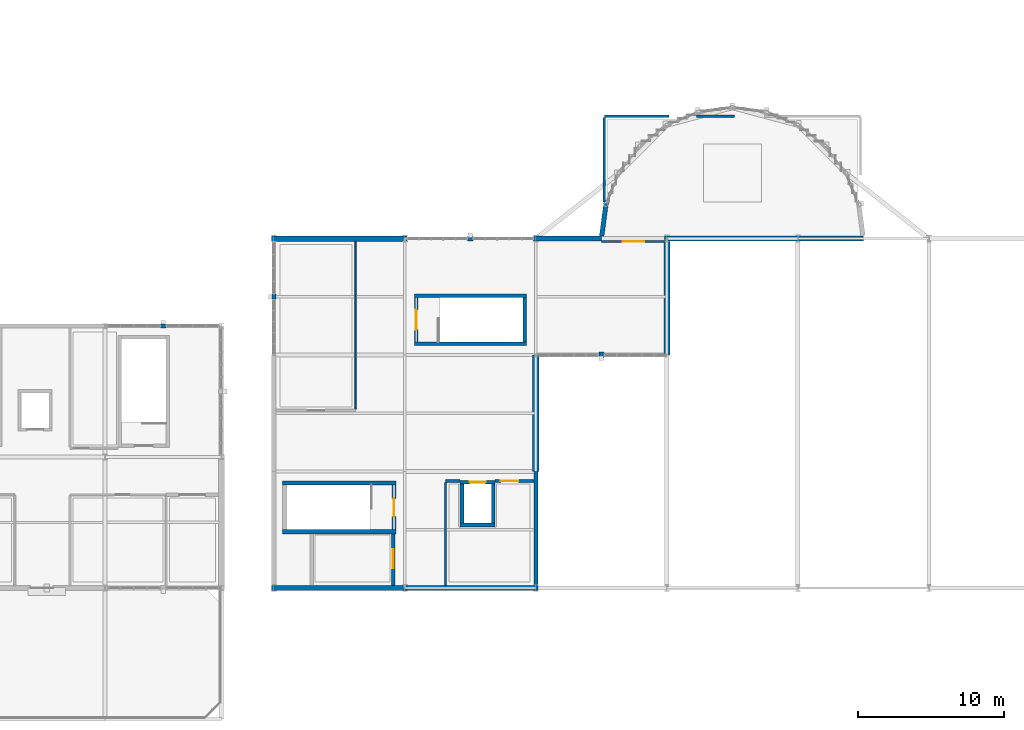
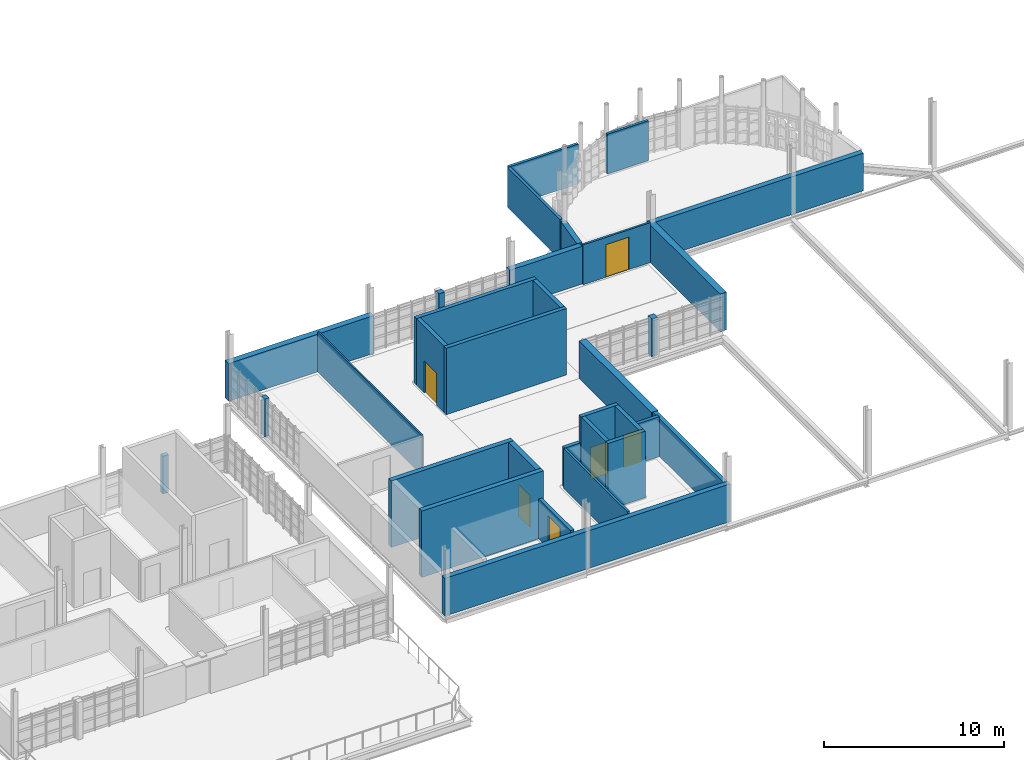
# One storey, part 39 of 44: 33 walls, 6 doors, 6 openings.
"""IFC4 building model written with IfcOpenShell, lengths in metres."""

from ifc_helpers import new_model, si_unit, direction, frame, frame_2d, origin, place, context, subcontext, project, spatial, rectangle, extrude, material, layer, layer_set, type_object, element, fill, save


model = new_model("IFC4")

# Units and contexts
model_context = context("Model", 3, precision=1e-05, world=origin(), true_north=direction((0.0, 1.0)))
body_context = subcontext(model_context, "Body", "Model", "MODEL_VIEW")
ifc_project = project(units=[si_unit("LENGTHUNIT", "METRE"), si_unit("AREAUNIT", "SQUARE_METRE"), si_unit("VOLUMEUNIT", "CUBIC_METRE"), si_unit("PLANEANGLEUNIT", "RADIAN"), si_unit("MASSUNIT", "GRAM", prefix="KILO")], contexts=[model_context])

# Site, building, storey
site_placement = place(None, origin())
site = spatial("IfcSite", under=ifc_project, at=site_placement, CompositionType="ELEMENT")
building_placement = place(site_placement, origin())
building = spatial("IfcBuilding", under=site, at=building_placement, Name="Serraforn Aerial Cableway Station", CompositionType="ELEMENT")
storey_placement = place(building_placement, frame((0.0, 0.0, 13.800048828125)))
storey = spatial("IfcBuildingStorey", under=building, at=storey_placement, Name="L03", CompositionType="ELEMENT", Elevation=13.800048828125)

# Wall, opening, door
ifc_material_1 = material(Name="Concrete C35/45", Category="concrete")
ifc_layer_1 = layer(ifc_material_1, 0.25)
ifc_layer_set_1 = layer_set([ifc_layer_1], Name="Concrete C35/45")
wall_type_1 = type_object("IfcWallType", Name="WL-COR-250", PredefinedType="SHEAR", material=ifc_layer_set_1)
wall_1_placement = place(storey_placement, frame((37.375, 34.89990234375, 0.0), z_axis=(0.0, 0.0, 1.0), x_axis=(0.0, 1.0, 0.0)))
wall_1 = element("IfcWall", 1, at=wall_1_placement, inside=storey, type_object=wall_type_1, Name="Stair Core Shear Wall WCOR-ST-04-L03-NEAR", PredefinedType="SHEAR", context=body_context, shape_type="SweptSolid", body=[
    extrude(rectangle(XDim=3.06005859375, YDim=0.25, at=frame_2d((1.530029296875, 0.0))), origin(), (0.0, 0.0, 1.0), 4.5),
])
opening_1_placement = place(wall_1_placement, frame((0.85498046875, 0.0, 0.0)))
opening_1 = element("IfcOpeningElement", 2, at=opening_1_placement, cuts=wall_1, Name="Opening D-S21", PredefinedType="OPENING", context=body_context, shape_type="SweptSolid", body=[
    extrude(rectangle(XDim=1.35009765625, YDim=2.14990234375, at=frame_2d((0.675048828125, 1.074951171875))), frame((0.0, 0.135009765625, 0.0), z_axis=(0.0, -1.0, 0.0), x_axis=(1.0, 0.0, 0.0)), (0.0, 0.0, 1.0), 0.27001953125),
])
ifc_material_2 = material(Name="Self-closing steel stair fire door", Category="steel")
door_type_1 = type_object("IfcDoorType", Name="DR-STAIR-135", OperationType="NOTDEFINED", PredefinedType="DOOR", material=ifc_material_2)
door_1_placement = place(opening_1_placement, origin())
door_1 = element("IfcDoor", 3, at=door_1_placement, inside=storey, type_object=door_type_1, Name="Protected Stair Door D-S21", OperationType="SINGLE_SWING_LEFT", OverallHeight=2.14990234375, OverallWidth=1.35009765625, PredefinedType="DOOR", context=body_context, shape_type="SweptSolid", body=[
    extrude(rectangle(XDim=1.35009765625, YDim=2.14990234375, at=frame_2d((0.675048828125, 1.074951171875))), frame((0.0, 0.02490234375, 0.0), z_axis=(0.0, -1.0, 0.0), x_axis=(1.0, 0.0, 0.0)), (0.0, 0.0, 1.0), 0.050048828125),
])
fill(opening_1, door_1)

# Walls
wall_2_placement = place(storey_placement, frame((44.824951171875, 34.89990234375, 0.0), z_axis=(0.0, 0.0, 1.0), x_axis=(0.0, 1.0, 0.0)))
element("IfcWall", 4, at=wall_2_placement, inside=storey, type_object=wall_type_1, Name="Stair Core Shear Wall WCOR-ST-04-L03-FAR", PredefinedType="SHEAR", context=body_context, shape_type="SweptSolid", body=[
    extrude(rectangle(XDim=3.06005859375, YDim=0.25, at=frame_2d((1.530029296875, 0.0))), origin(), (0.0, 0.0, 1.0), 4.5),
])
for number, where, z_axis, x_axis, name in (
    (5, (37.25, 34.77490234375, 0.0), (0.0, 0.0, 1.0), (1.0, 0.0, 0.0), "Stair Core Shear Wall WCOR-ST-04-L03-L"),
    (6, (37.25, 38.0849609375, 0.0), (0.0, 0.0, 1.0), (1.0, 0.0, 0.0), "Stair Core Shear Wall WCOR-ST-04-L03-R"),
):
    element("IfcWall", number, at=place(storey_placement, frame(where, z_axis=z_axis, x_axis=x_axis)), inside=storey, type_object=wall_type_1, Name=name, PredefinedType="SHEAR", context=body_context, shape_type="SweptSolid", body=[
        extrude(rectangle(XDim=7.699951171875, YDim=0.25, at=frame_2d((3.85009765625, 0.0))), origin(), (0.0, 0.0, 1.0), 4.5),
    ])
wall_3_placement = place(storey_placement, frame((40.39990234375, 22.324951171875, 0.0), z_axis=(0.0, 0.0, 1.0), x_axis=(1.0, 0.0, 0.0)))
element("IfcWall", 7, at=wall_3_placement, inside=storey, type_object=wall_type_1, Name="Lift Shaft Shear Wall WLFT-LF-02-L03-S", PredefinedType="SHEAR", context=body_context, shape_type="SweptSolid", body=[
    extrude(rectangle(XDim=2.400146484375, YDim=0.25, at=frame_2d((1.2001953125, 0.0))), origin(), (0.0, 0.0, 1.0), 4.5),
])

# Wall, opening, door
wall_4_placement = place(storey_placement, frame((40.39990234375, 25.27490234375, 0.0), z_axis=(0.0, 0.0, 1.0), x_axis=(1.0, 0.0, 0.0)))
wall_4 = element("IfcWall", 8, at=wall_4_placement, inside=storey, type_object=wall_type_1, Name="Lift Shaft Shear Wall WLFT-LF-02-L03-N", PredefinedType="SHEAR", context=body_context, shape_type="SweptSolid", body=[
    extrude(rectangle(XDim=2.400146484375, YDim=0.25, at=frame_2d((1.2001953125, 0.0))), origin(), (0.0, 0.0, 1.0), 4.5),
])
opening_2_placement = place(wall_4_placement, frame((0.64990234375, 0.0, 0.0)))
opening_2 = element("IfcOpeningElement", 9, at=opening_2_placement, cuts=wall_4, Name="Opening LD-09", PredefinedType="OPENING", context=body_context, shape_type="SweptSolid", body=[
    extrude(rectangle(XDim=1.10009765625, YDim=2.14990234375, at=frame_2d((0.550048828125, 1.074951171875))), frame((0.0, 0.135009765625, 0.0), z_axis=(0.0, -1.0, 0.0), x_axis=(1.0, 0.0, 0.0)), (0.0, 0.0, 1.0), 0.27001953125),
])
ifc_material_3 = material(Name="Brushed stainless-steel sliding lift landing door", Category="steel")
door_type_2 = type_object("IfcDoorType", Name="DR-LIFT-110", OperationType="SLIDING_TO_LEFT", PredefinedType="DOOR", material=ifc_material_3)
door_2_placement = place(opening_2_placement, origin())
door_2 = element("IfcDoor", 10, at=door_2_placement, inside=storey, type_object=door_type_2, Name="Sliding Lift Landing Door LD-09 (LF-02 L03)", OperationType="SLIDING_TO_LEFT", OverallHeight=2.14990234375, OverallWidth=1.10009765625, PredefinedType="DOOR", context=body_context, shape_type="SweptSolid", body=[
    extrude(rectangle(XDim=1.10009765625, YDim=2.14990234375, at=frame_2d((0.550048828125, 1.074951171875))), frame((0.0, 0.02490234375, 0.0), z_axis=(0.0, -1.0, 0.0), x_axis=(1.0, 0.0, 0.0)), (0.0, 0.0, 1.0), 0.050048828125),
])
fill(opening_2, door_2)

# Walls
for number, where, z_axis, x_axis, name in (
    (11, (40.52490234375, 22.449951171875, 0.0), (0.0, 0.0, 1.0), (0.0, 1.0, 0.0), "Lift Shaft Shear Wall WLFT-LF-02-L03-W"),
    (12, (42.675048828125, 22.449951171875, 0.0), (0.0, 0.0, 1.0), (0.0, 1.0, 0.0), "Lift Shaft Shear Wall WLFT-LF-02-L03-E"),
):
    element("IfcWall", number, at=place(storey_placement, frame(where, z_axis=z_axis, x_axis=x_axis)), inside=storey, type_object=wall_type_1, Name=name, PredefinedType="SHEAR", context=body_context, shape_type="SweptSolid", body=[
        extrude(rectangle(XDim=2.699951171875, YDim=0.25, at=frame_2d((1.35009765625, 0.0))), origin(), (0.0, 0.0, 1.0), 4.5),
    ])

# Wall, opening, door
ifc_layer_2 = layer(ifc_material_1, 0.300048828125)
ifc_layer_set_2 = layer_set([ifc_layer_2], Name="Concrete C35/45")
wall_type_2 = type_object("IfcWallType", Name="WL-COR-300", PredefinedType="SHEAR", material=ifc_layer_set_2)
wall_5_placement = place(storey_placement, frame((35.85009765625, 25.06005859375, 0.0), z_axis=(0.0, 0.0, 1.0), x_axis=(0.0, -1.0, 0.0)))
wall_5 = element("IfcWall", 13, at=wall_5_placement, inside=storey, type_object=wall_type_2, Name="Stair Core Shear Wall WCOR-ST-03-L03-NEAR", PredefinedType="SHEAR", context=body_context, shape_type="SweptSolid", body=[
    extrude(rectangle(XDim=3.06005859375, YDim=0.300048828125, at=frame_2d((1.530029296875, 0.0))), origin(), (0.0, 0.0, 1.0), 4.5),
])
opening_3_placement = place(wall_5_placement, frame((0.905029296875, 0.0, 0.0)))
opening_3 = element("IfcOpeningElement", 14, at=opening_3_placement, cuts=wall_5, Name="Opening D-S16", PredefinedType="OPENING", context=body_context, shape_type="SweptSolid", body=[
    extrude(rectangle(XDim=1.25, YDim=2.14990234375, at=frame_2d((0.625, 1.074951171875))), frame((0.0, 0.159912109375, 0.0), z_axis=(0.0, -1.0, 0.0), x_axis=(1.0, 0.0, 0.0)), (0.0, 0.0, 1.0), 0.320068359375),
])
door_type_3 = type_object("IfcDoorType", Name="DR-STAIR-125", OperationType="NOTDEFINED", PredefinedType="DOOR", material=ifc_material_2)
door_3_placement = place(opening_3_placement, origin())
door_3 = element("IfcDoor", 15, at=door_3_placement, inside=storey, type_object=door_type_3, Name="Protected Stair Door D-S16", OperationType="SINGLE_SWING_RIGHT", OverallHeight=2.14990234375, OverallWidth=1.25, PredefinedType="DOOR", context=body_context, shape_type="SweptSolid", body=[
    extrude(rectangle(XDim=1.25, YDim=2.14990234375, at=frame_2d((0.625, 1.074951171875))), frame((0.0, 0.02490234375, 0.0), z_axis=(0.0, -1.0, 0.0), x_axis=(1.0, 0.0, 0.0)), (0.0, 0.0, 1.0), 0.050048828125),
])
fill(opening_3, door_3)

# Walls
for number, where, z_axis, x_axis, name in (
    (16, (36.0, 25.2099609375, 0.0), (0.0, 0.0, 1.0), (-1.0, 0.0, 0.0), "Stair Core Shear Wall WCOR-ST-03-L03-L"),
    (17, (36.0, 21.85009765625, 0.0), (0.0, 0.0, 1.0), (-1.0, 0.0, 0.0), "Stair Core Shear Wall WCOR-ST-03-L03-R"),
):
    element("IfcWall", number, at=place(storey_placement, frame(where, z_axis=z_axis, x_axis=x_axis)), inside=storey, type_object=wall_type_2, Name=name, PredefinedType="SHEAR", context=body_context, shape_type="SweptSolid", body=[
        extrude(rectangle(XDim=7.800048828125, YDim=0.300048828125, at=frame_2d((3.89990234375, 0.0))), origin(), (0.0, 0.0, 1.0), 4.5),
    ])
ifc_material_4 = material(Name="Insulated stuccoed terracotta facade", Category="masonry")
ifc_layer_3 = layer(ifc_material_4, 0.260009765625)
ifc_layer_set_3 = layer_set([ifc_layer_3], Name="Insulated stuccoed terracotta facade")
wall_type_3 = type_object("IfcWallType", Name="WL-EXT-260", PredefinedType="SOLIDWALL", material=ifc_layer_set_3)
wall_6_placement = place(storey_placement, frame((45.60009765625, 18.160888671875, 0.0), z_axis=(0.0, 0.0, 1.0), x_axis=(0.0, 1.0, 0.0)))
element("IfcWall", 18, at=wall_6_placement, inside=storey, type_object=wall_type_3, Name="Exterior Wall WEXT-CV-L03-E1", PredefinedType="SOLIDWALL", context=body_context, shape_type="SweptSolid", body=[
    extrude(rectangle(XDim=7.839111328125, YDim=0.260009765625, at=frame_2d((3.91943359375, 0.0))), origin(), (0.0, 0.0, 1.0), 2.550048828125),
])
ifc_layer_4 = layer(ifc_material_4, 0.27490234375)
ifc_layer_set_4 = layer_set([ifc_layer_4], Name="Insulated stuccoed terracotta facade")
wall_type_4 = type_object("IfcWallType", Name="WL-EXT-275", PredefinedType="SOLIDWALL", material=ifc_layer_set_4)
for number, where, z_axis, x_axis, name in (
    (19, (20.179931640625, 36.0, 0.0), (0.0, 0.0, 1.0), (-1.0, 0.0, 0.0), "Exterior Wall WPIER-W-L03-N3"),
    (20, (27.60009765625, 38.179931640625, 0.0), (0.0, 0.0, 1.0), (0.0, -1.0, 0.0), "Exterior Wall WPIER-CV-L03-W3"),
):
    element("IfcWall", number, at=place(storey_placement, frame(where, z_axis=z_axis, x_axis=x_axis)), inside=storey, type_object=wall_type_4, Name=name, PredefinedType="SOLIDWALL", context=body_context, shape_type="SweptSolid", body=[
        extrude(rectangle(XDim=0.35986328125, YDim=0.27490234375, at=frame_2d((0.179931640625, 0.0))), origin(), (0.0, 0.0, 1.0), 2.550048828125),
    ])
ifc_material_5 = material(Name="Insulated fluted limestone rainscreen", Category="masonry")
ifc_layer_5 = layer(ifc_material_5, 0.320068359375)
ifc_layer_set_5 = layer_set([ifc_layer_5], Name="Insulated fluted limestone rainscreen")
wall_type_5 = type_object("IfcWallType", Name="WL-EXT-320", PredefinedType="SOLIDWALL", material=ifc_layer_set_5)
wall_7_placement = place(storey_placement, frame((36.7509765625, 18.0, 0.0), z_axis=(0.0, 0.0, 1.0), x_axis=(1.0, 0.0, 0.0)))
element("IfcWall", 21, at=wall_7_placement, inside=storey, type_object=wall_type_5, Name="Exterior Wall WEXT-CV-L03-S2", PredefinedType="SOLIDWALL", context=body_context, shape_type="SweptSolid", body=[
    extrude(rectangle(XDim=8.9990234375, YDim=0.320068359375, at=frame_2d((4.49951171875, 0.0))), origin(), (0.0, 0.0, 1.0), 2.550048828125),
])
wall_8_placement = place(storey_placement, frame((50.4267578125, 44.481201171875, 0.0), z_axis=(0.0, 0.0, 1.0), x_axis=(-0.130563022508, -0.991440011878, 0.0)))
element("IfcWall", 22, at=wall_8_placement, inside=storey, type_object=wall_type_5, Name="Exterior Wall WEXT-AP-L03-R1", PredefinedType="SOLIDWALL", context=body_context, shape_type="SweptSolid", body=[
    extrude(rectangle(XDim=2.328125, YDim=0.320068359375, at=frame_2d((1.1640625, 0.0))), origin(), (0.0, 0.0, 1.0), 2.550048828125),
])
ifc_layer_6 = layer(ifc_material_5, 0.3349609375)
ifc_layer_set_6 = layer_set([ifc_layer_6], Name="Insulated fluted limestone rainscreen")
wall_type_6 = type_object("IfcWallType", Name="WL-EXT-335", PredefinedType="SOLIDWALL", material=ifc_layer_set_6)
wall_9_placement = place(storey_placement, frame((27.449951171875, 18.0, 0.0), z_axis=(0.0, 0.0, 1.0), x_axis=(1.0, 0.0, 0.0)))
element("IfcWall", 23, at=wall_9_placement, inside=storey, type_object=wall_type_6, Name="Exterior Wall WEXT-CV-L03-S1", PredefinedType="SOLIDWALL", context=body_context, shape_type="SweptSolid", body=[
    extrude(rectangle(XDim=9.300048828125, YDim=0.3349609375, at=frame_2d((4.64990234375, 0.0))), origin(), (0.0, 0.0, 1.0), 2.550048828125),
])
wall_10_placement = place(storey_placement, frame((54.449951171875, 42.0, 0.0), z_axis=(0.0, 0.0, 1.0), x_axis=(1.0, 0.0, 0.0)))
element("IfcWall", 24, at=wall_10_placement, inside=storey, type_object=wall_type_6, Name="Exterior Wall WEXT-CV-L03-APJ1", PredefinedType="SOLIDWALL", context=body_context, shape_type="SweptSolid", body=[
    extrude(rectangle(XDim=13.650146484375, YDim=0.3349609375, at=frame_2d((6.8251953125, 0.0))), origin(), (0.0, 0.0, 1.0), 2.550048828125),
])
ifc_material_6 = material(Name="Montjuic sandstone ashlar masonry", Category="masonry")
ifc_layer_7 = layer(ifc_material_6, 0.35009765625)
ifc_layer_set_7 = layer_set([ifc_layer_7], Name="Montjuic sandstone ashlar masonry")
wall_type_7 = type_object("IfcWallType", Name="WL-EXT-350", PredefinedType="SOLIDWALL", material=ifc_layer_set_7)
wall_11_placement = place(storey_placement, frame((50.10009765625, 42.0, 0.0), z_axis=(0.0, 0.0, 1.0), x_axis=(-1.0, 0.0, 0.0)))
element("IfcWall", 25, at=wall_11_placement, inside=storey, type_object=wall_type_7, Name="Exterior Wall WEXT-CV-L03-N3", PredefinedType="SOLIDWALL", context=body_context, shape_type="SweptSolid", body=[
    extrude(rectangle(XDim=4.650146484375, YDim=0.35009765625, at=frame_2d((2.3251953125, 0.0))), origin(), (0.0, 0.0, 1.0), 2.550048828125),
])
ifc_layer_8 = layer(ifc_material_6, 0.364990234375)
ifc_layer_set_8 = layer_set([ifc_layer_8], Name="Montjuic sandstone ashlar masonry")
wall_type_8 = type_object("IfcWallType", Name="WL-EXT-365", PredefinedType="SOLIDWALL", material=ifc_layer_set_8)
wall_12_placement = place(storey_placement, frame((41.280029296875, 42.0, 0.0), z_axis=(0.0, 0.0, 1.0), x_axis=(-1.0, 0.0, 0.0)))
element("IfcWall", 26, at=wall_12_placement, inside=storey, type_object=wall_type_8, Name="Exterior Wall WPIER-CV-L03-N2", PredefinedType="SOLIDWALL", context=body_context, shape_type="SweptSolid", body=[
    extrude(rectangle(XDim=0.360107421875, YDim=0.364990234375, at=frame_2d((0.18017578125, 0.0))), origin(), (0.0, 0.0, 1.0), 2.550048828125),
])
ifc_layer_9 = layer(ifc_material_6, 0.3798828125)
ifc_layer_set_9 = layer_set([ifc_layer_9], Name="Montjuic sandstone ashlar masonry")
wall_type_9 = type_object("IfcWallType", Name="WL-EXT-380", PredefinedType="SOLIDWALL", material=ifc_layer_set_9)
wall_13_placement = place(storey_placement, frame((36.75, 42.0, 0.0), z_axis=(0.0, 0.0, 1.0), x_axis=(-1.0, 0.0, 0.0)))
element("IfcWall", 27, at=wall_13_placement, inside=storey, type_object=wall_type_9, Name="Exterior Wall WEXT-CV-L03-N1", PredefinedType="SOLIDWALL", context=body_context, shape_type="SweptSolid", body=[
    extrude(rectangle(XDim=9.300048828125, YDim=0.3798828125, at=frame_2d((4.64990234375, 0.0))), origin(), (0.0, 0.0, 1.0), 2.550048828125),
])
ifc_layer_10 = layer(ifc_material_6, 0.39990234375)
ifc_layer_set_10 = layer_set([ifc_layer_10], Name="Montjuic sandstone ashlar masonry")
wall_type_10 = type_object("IfcWallType", Name="WL-EXT-400", PredefinedType="SOLIDWALL", material=ifc_layer_set_10)
wall_14_placement = place(storey_placement, frame((54.60009765625, 34.0, 0.0), z_axis=(0.0, 0.0, 1.0), x_axis=(0.0, 1.0, 0.0)))
element("IfcWall", 28, at=wall_14_placement, inside=storey, type_object=wall_type_10, Name="Exterior Wall WEXT-CV-L03-E3", PredefinedType="SOLIDWALL", context=body_context, shape_type="SweptSolid", body=[
    extrude(rectangle(XDim=7.83154296875, YDim=0.39990234375, at=frame_2d((3.915771484375, 0.0))), origin(), (0.0, 0.0, 1.0), 2.550048828125),
])
ifc_layer_11 = layer(ifc_material_6, 0.4150390625)
ifc_layer_set_11 = layer_set([ifc_layer_11], Name="Montjuic sandstone ashlar masonry")
wall_type_11 = type_object("IfcWallType", Name="WL-EXT-415", PredefinedType="SOLIDWALL", material=ifc_layer_set_11)
wall_15_placement = place(storey_placement, frame((49.919921875, 34.0, 0.0), z_axis=(0.0, 0.0, 1.0), x_axis=(1.0, 0.0, 0.0)))
element("IfcWall", 29, at=wall_15_placement, inside=storey, type_object=wall_type_11, Name="Exterior Wall WPIER-CV-L03-S3", PredefinedType="SOLIDWALL", context=body_context, shape_type="SweptSolid", body=[
    extrude(rectangle(XDim=0.360107421875, YDim=0.4150390625, at=frame_2d((0.18017578125, 0.0))), origin(), (0.0, 0.0, 1.0), 2.550048828125),
])
ifc_layer_12 = layer(ifc_material_6, 0.429931640625)
ifc_layer_set_12 = layer_set([ifc_layer_12], Name="Montjuic sandstone ashlar masonry")
wall_type_12 = type_object("IfcWallType", Name="WL-EXT-430", PredefinedType="SOLIDWALL", material=ifc_layer_set_12)
wall_16_placement = place(storey_placement, frame((45.60009765625, 26.0, 0.0), z_axis=(0.0, 0.0, 1.0), x_axis=(0.0, 1.0, 0.0)))
element("IfcWall", 30, at=wall_16_placement, inside=storey, type_object=wall_type_12, Name="Exterior Wall WEXT-CV-L03-E2", PredefinedType="SOLIDWALL", context=body_context, shape_type="SweptSolid", body=[
    extrude(rectangle(XDim=8.0, YDim=0.429931640625, at=frame_2d((4.0, 0.0))), origin(), (0.0, 0.0, 1.0), 2.550048828125),
])

# Wall, opening, door
ifc_material_7 = material(Name="Sanitary service chase partition")
ifc_layer_13 = layer(ifc_material_7, 0.22802734375)
ifc_layer_set_13 = layer_set([ifc_layer_13], Name="Sanitary service chase partition")
wall_type_13 = type_object("IfcWallType", Name="WL-PLM-228", PredefinedType="PLUMBINGWALL", material=ifc_layer_set_13)
wall_17_placement = place(storey_placement, frame((35.800048828125, 21.698974609375, 0.0), z_axis=(0.0, 0.0, 1.0), x_axis=(0.0, -1.0, 0.0)))
wall_17 = element("IfcWall", 31, at=wall_17_placement, inside=storey, type_object=wall_type_13, Name="Interior Partition WPRT-L03-11-203", PredefinedType="PLUMBINGWALL", context=body_context, shape_type="SweptSolid", body=[
    extrude(rectangle(XDim=3.530517578125, YDim=0.22802734375, at=frame_2d((1.76513671875, 0.0))), origin(), (0.0, 0.0, 1.0), 2.699951171875),
])
opening_4_placement = place(wall_17_placement, frame((1.0390625, 0.0, 0.0)))
opening_4 = element("IfcOpeningElement", 32, at=opening_4_placement, cuts=wall_17, Name="Opening DI-064", PredefinedType="OPENING", context=body_context, shape_type="SweptSolid", body=[
    extrude(rectangle(XDim=1.320068359375, YDim=2.199951171875, at=frame_2d((0.66015625, 1.10009765625))), frame((0.0, 0.1240234375, 0.0), z_axis=(0.0, -1.0, 0.0), x_axis=(1.0, 0.0, 0.0)), (0.0, 0.0, 1.0), 0.248046875),
])
ifc_material_8 = material(Name="Double-leaf fire-rated hall door")
door_type_4 = type_object("IfcDoorType", Name="DR-INT-132", OperationType="NOTDEFINED", PredefinedType="DOOR", material=ifc_material_8)
door_4_placement = place(opening_4_placement, origin())
door_4 = element("IfcDoor", 33, at=door_4_placement, inside=storey, type_object=door_type_4, Name="Room Door DI-064 (L03-11)", OperationType="SINGLE_SWING_LEFT", OverallHeight=2.199951171875, OverallWidth=1.320068359375, PredefinedType="DOOR", context=body_context, shape_type="SweptSolid", body=[
    extrude(rectangle(XDim=1.320068359375, YDim=2.199951171875, at=frame_2d((0.66015625, 1.10009765625))), frame((0.0, 0.02490234375, 0.0), z_axis=(0.0, -1.0, 0.0), x_axis=(1.0, 0.0, 0.0)), (0.0, 0.0, 1.0), 0.050048828125),
])
fill(opening_4, door_4)

# Wall
ifc_material_9 = material(Name="Glazed acoustic timber-framed partition", Category="wood")
ifc_layer_14 = layer(ifc_material_9, 0.092041015625)
ifc_layer_set_14 = layer_set([ifc_layer_14], Name="Glazed acoustic timber-framed partition")
wall_type_14 = type_object("IfcWallType", Name="WL-PRT-092", PredefinedType="PARTITIONING", material=ifc_layer_set_14)
wall_18_placement = place(storey_placement, frame((33.199951171875, 41.80908203125, 0.0), z_axis=(0.0, 0.0, 1.0), x_axis=(0.0, -1.0, 0.0)))
element("IfcWall", 34, at=wall_18_placement, inside=storey, type_object=wall_type_14, Name="Interior Partition WPRT-L03-07-197", PredefinedType="PARTITIONING", context=body_context, shape_type="SweptSolid", body=[
    extrude(rectangle(XDim=11.54052734375, YDim=0.092041015625, at=frame_2d((5.770263671875, 0.0))), origin(), (0.0, 0.0, 1.0), 2.699951171875),
])

# Wall, opening, door
ifc_material_10 = material(Name="Metal-stud gypsum partition")
ifc_layer_15 = layer(ifc_material_10, 0.1298828125)
ifc_layer_set_15 = layer_set([ifc_layer_15], Name="Metal-stud gypsum partition")
wall_type_15 = type_object("IfcWallType", Name="WL-PRT-130", PredefinedType="PARTITIONING", material=ifc_layer_set_15)
wall_19_placement = place(storey_placement, frame((54.39892578125, 41.800048828125, 0.0), z_axis=(0.0, 0.0, 1.0), x_axis=(-1.0, 0.0, 0.0)))
wall_19 = element("IfcWall", 35, at=wall_19_placement, inside=storey, type_object=wall_type_15, Name="Interior Partition WPRT-L03-10-209", PredefinedType="PARTITIONING", context=body_context, shape_type="SweptSolid", body=[
    extrude(rectangle(XDim=4.2978515625, YDim=0.1298828125, at=frame_2d((2.14892578125, 0.0))), origin(), (0.0, 0.0, 1.0), 2.699951171875),
])
opening_5_placement = place(wall_19_placement, frame((1.35888671875, 0.0, 0.0)))
opening_5 = element("IfcOpeningElement", 36, at=opening_5_placement, cuts=wall_19, Name="Opening DI-065", PredefinedType="OPENING", context=body_context, shape_type="SweptSolid", body=[
    extrude(rectangle(XDim=1.47998046875, YDim=2.199951171875, at=frame_2d((0.739990234375, 1.10009765625))), frame((0.0, 0.074951171875, 0.0), z_axis=(0.0, -1.0, 0.0), x_axis=(1.0, 0.0, 0.0)), (0.0, 0.0, 1.0), 0.14990234375),
])
ifc_material_11 = material(Name="Double-leaf glazed salon door")
door_type_5 = type_object("IfcDoorType", Name="DR-INT-148U", OperationType="NOTDEFINED", PredefinedType="DOOR", material=ifc_material_11)
door_5_placement = place(opening_5_placement, origin())
door_5 = element("IfcDoor", 37, at=door_5_placement, inside=storey, type_object=door_type_5, Name="Room Door DI-065 (L03-10)", OperationType="SINGLE_SWING_RIGHT", OverallHeight=2.199951171875, OverallWidth=1.47998046875, PredefinedType="DOOR", context=body_context, shape_type="SweptSolid", body=[
    extrude(rectangle(XDim=1.47998046875, YDim=2.199951171875, at=frame_2d((0.739990234375, 1.10009765625))), frame((0.0, 0.02490234375, 0.0), z_axis=(0.0, -1.0, 0.0), x_axis=(1.0, 0.0, 0.0)), (0.0, 0.0, 1.0), 0.050048828125),
])
fill(opening_5, door_5)

# Walls
ifc_material_12 = material(Name="Acoustic twin-stud gypsum partition")
ifc_layer_16 = layer(ifc_material_12, 0.14501953125)
ifc_layer_set_16 = layer_set([ifc_layer_16], Name="Acoustic twin-stud gypsum partition")
wall_type_16 = type_object("IfcWallType", Name="WL-PRT-145", PredefinedType="PARTITIONING", material=ifc_layer_set_16)
wall_20_placement = place(storey_placement, frame((39.39990234375, 18.160888671875, 0.0), z_axis=(0.0, 0.0, 1.0), x_axis=(0.0, 1.0, 0.0)))
element("IfcWall", 38, at=wall_20_placement, inside=storey, type_object=wall_type_16, Name="Interior Partition WPRT-L03-08-199", PredefinedType="PARTITIONING", context=body_context, shape_type="SweptSolid", body=[
    extrude(rectangle(XDim=7.070556640625, YDim=0.14501953125, at=frame_2d((3.53515625, 0.0))), origin(), (0.0, 0.0, 1.0), 2.699951171875),
])
ifc_layer_17 = layer(ifc_material_12, 0.159912109375)
ifc_layer_set_17 = layer_set([ifc_layer_17], Name="Acoustic twin-stud gypsum partition")
wall_type_17 = type_object("IfcWallType", Name="WL-PRT-160", PredefinedType="PARTITIONING", material=ifc_layer_set_17)
wall_21_placement = place(storey_placement, frame((56.627685546875, 50.39990234375, 0.0), z_axis=(0.0, 0.0, 1.0), x_axis=(1.0, 0.0, 0.0)))
element("IfcWall", 39, at=wall_21_placement, inside=storey, type_object=wall_type_17, Name="Interior Partition WPRT-L03-10-206", PredefinedType="PARTITIONING", context=body_context, shape_type="SweptSolid", body=[
    extrude(rectangle(XDim=2.602294921875, YDim=0.159912109375, at=frame_2d((1.30126953125, 0.0))), origin(), (0.0, 0.0, 1.0), 2.699951171875),
])
ifc_layer_18 = layer(ifc_material_12, 0.169921875)
ifc_layer_set_18 = layer_set([ifc_layer_18], Name="Acoustic twin-stud gypsum partition")
wall_type_18 = type_object("IfcWallType", Name="WL-PRT-170", PredefinedType="PARTITIONING", material=ifc_layer_set_18)
wall_22_placement = place(storey_placement, frame((50.300048828125, 50.39990234375, 0.0), z_axis=(0.0, 0.0, 1.0), x_axis=(1.0, 0.0, 0.0)))
element("IfcWall", 40, at=wall_22_placement, inside=storey, type_object=wall_type_18, Name="Interior Partition WPRT-L03-10-205", PredefinedType="PARTITIONING", context=body_context, shape_type="SweptSolid", body=[
    extrude(rectangle(XDim=4.44287109375, YDim=0.169921875, at=frame_2d((2.221435546875, 0.0))), origin(), (0.0, 0.0, 1.0), 2.699951171875),
])
ifc_material_13 = material(Name="Acoustic masonry blockwork", Category="masonry")
ifc_layer_19 = layer(ifc_material_13, 0.179931640625)
ifc_layer_set_19 = layer_set([ifc_layer_19], Name="Acoustic masonry blockwork")
wall_type_19 = type_object("IfcWallType", Name="WL-PRT-180", PredefinedType="PARTITIONING", material=ifc_layer_set_19)
wall_23_placement = place(storey_placement, frame((50.300048828125, 44.503173828125, 0.0), z_axis=(0.0, 0.0, 1.0), x_axis=(0.0, 1.0, 0.0)))
element("IfcWall", 41, at=wall_23_placement, inside=storey, type_object=wall_type_19, Name="Interior Partition WPRT-L03-10-204", PredefinedType="PARTITIONING", context=body_context, shape_type="SweptSolid", body=[
    extrude(rectangle(XDim=5.810791015625, YDim=0.179931640625, at=frame_2d((2.9052734375, 0.0))), origin(), (0.0, 0.0, 1.0), 2.699951171875),
])

# Wall, opening, door
ifc_layer_20 = layer(ifc_material_13, 0.2099609375)
ifc_layer_set_20 = layer_set([ifc_layer_20], Name="Acoustic masonry blockwork")
wall_type_20 = type_object("IfcWallType", Name="WL-PRT-210", PredefinedType="PARTITIONING", material=ifc_layer_set_20)
wall_24_placement = place(storey_placement, frame((42.801025390625, 25.35009765625, 0.0), z_axis=(0.0, 0.0, 1.0), x_axis=(1.0, 0.0, 0.0)))
wall_24 = element("IfcWall", 42, at=wall_24_placement, inside=storey, type_object=wall_type_20, Name="Interior Partition WPRT-L03-08-201", PredefinedType="PARTITIONING", context=body_context, shape_type="SweptSolid", body=[
    extrude(rectangle(XDim=2.66796875, YDim=0.2099609375, at=frame_2d((1.333984375, 0.0))), origin(), (0.0, 0.0, 1.0), 2.699951171875),
])
opening_6_placement = place(wall_24_placement, frame((0.39892578125, 0.0, 0.0)))
opening_6 = element("IfcOpeningElement", 43, at=opening_6_placement, cuts=wall_24, Name="Opening DI-063", PredefinedType="OPENING", context=body_context, shape_type="SweptSolid", body=[
    extrude(rectangle(XDim=1.199951171875, YDim=2.179931640625, at=frame_2d((0.60009765625, 1.08984375))), frame((0.0, 0.114990234375, 0.0), z_axis=(0.0, -1.0, 0.0), x_axis=(1.0, 0.0, 0.0)), (0.0, 0.0, 1.0), 0.22998046875),
])
ifc_material_14 = material(Name="Fire-rated steel-core acoustic leaf", Category="steel")
door_type_6 = type_object("IfcDoorType", Name="DR-INT-120", OperationType="NOTDEFINED", PredefinedType="DOOR", material=ifc_material_14)
door_6_placement = place(opening_6_placement, origin())
door_6 = element("IfcDoor", 44, at=door_6_placement, inside=storey, type_object=door_type_6, Name="Room Door DI-063 (L03-08)", OperationType="SINGLE_SWING_RIGHT", OverallHeight=2.179931640625, OverallWidth=1.199951171875, PredefinedType="DOOR", context=body_context, shape_type="SweptSolid", body=[
    extrude(rectangle(XDim=1.199951171875, YDim=2.179931640625, at=frame_2d((0.60009765625, 1.08984375))), frame((0.0, 0.02490234375, 0.0), z_axis=(0.0, -1.0, 0.0), x_axis=(1.0, 0.0, 0.0)), (0.0, 0.0, 1.0), 0.050048828125),
])
fill(opening_6, door_6)

# Wall
ifc_layer_21 = layer(ifc_material_13, 0.235107421875)
ifc_layer_set_21 = layer_set([ifc_layer_21], Name="Acoustic masonry blockwork")
wall_type_21 = type_object("IfcWallType", Name="WL-PRT-235", PredefinedType="PARTITIONING", material=ifc_layer_set_21)
wall_25_placement = place(storey_placement, frame((39.39990234375, 25.35009765625, 0.0), z_axis=(0.0, 0.0, 1.0), x_axis=(1.0, 0.0, 0.0)))
element("IfcWall", 45, at=wall_25_placement, inside=storey, type_object=wall_type_21, Name="Interior Partition WPRT-L03-08-200", PredefinedType="PARTITIONING", context=body_context, shape_type="SweptSolid", body=[
    extrude(rectangle(XDim=0.9990234375, YDim=0.235107421875, at=frame_2d((0.49951171875, 0.0))), origin(), (0.0, 0.0, 1.0), 2.699951171875),
])

save(model, "model.ifc")
